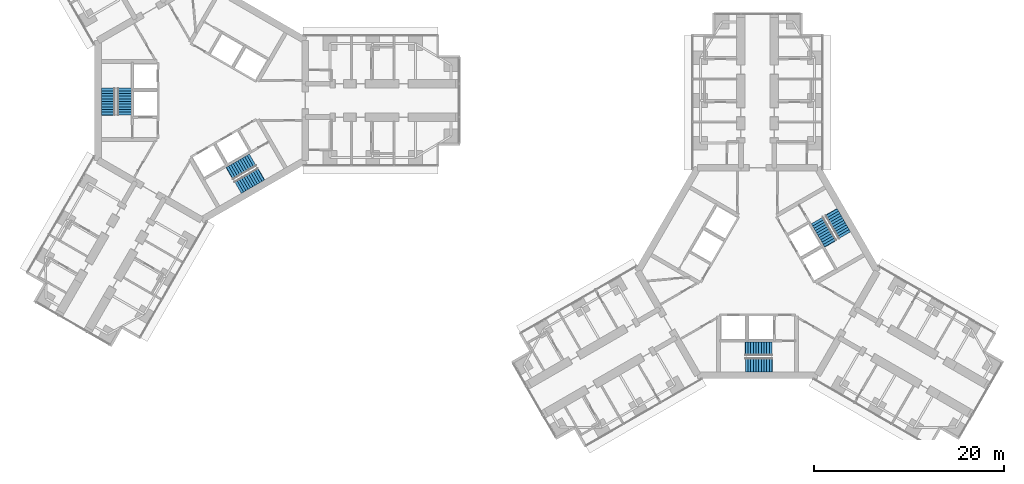
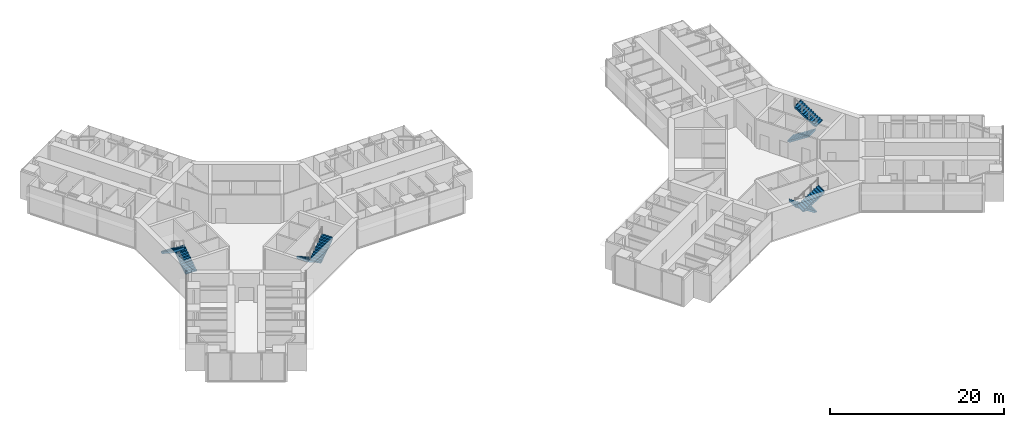
# One storey, part 23 of 24: 8 stair flights, 4 elements without a shape of their own.
"""IFC4 building model written with IfcOpenShell, lengths in metres."""

from ifc_helpers import new_model, si_unit, direction, frame, origin, place, context, subcontext, project, spatial, polyline, outline, extrude, material, type_object, element, aggregate, save


model = new_model("IFC4")

# Units and contexts
model_context = context("Model", 3, precision=1e-05, world=origin(), true_north=direction((0.0, 1.0)))
body_context = subcontext(model_context, "Body", "Model", "MODEL_VIEW")
ifc_project = project(units=[si_unit("LENGTHUNIT", "METRE"), si_unit("AREAUNIT", "SQUARE_METRE"), si_unit("VOLUMEUNIT", "CUBIC_METRE"), si_unit("PLANEANGLEUNIT", "RADIAN"), si_unit("MASSUNIT", "GRAM", prefix="KILO")], contexts=[model_context])

# Site, building, storey
site_placement = place(None, origin())
site = spatial("IfcSite", under=ifc_project, at=site_placement, CompositionType="ELEMENT")
building_placement = place(site_placement, origin())
building = spatial("IfcBuilding", under=site, at=building_placement, Name="Upepo Twin Towers", CompositionType="ELEMENT")
storey_placement = place(building_placement, frame((0.0, 0.0, 68.5)))
storey = spatial("IfcBuildingStorey", under=building, at=storey_placement, Name="L16", CompositionType="ELEMENT", Elevation=68.5)

# Stair, stair flights
ifc_material_1 = material(Name="Concrete C40/50", Category="concrete")
stair_type = type_object("IfcStairType", Name="Core stair, two flights", PredefinedType="HALF_TURN_STAIR", material=ifc_material_1)
stair_1_placement = place(storey_placement, origin())
stair_1 = element("IfcStair", 1, at=stair_1_placement, inside=storey, type_object=stair_type, Name="T1 stair S1 L16", PredefinedType="HALF_TURN_STAIR")
ifc_material_2 = material(Name="Concrete C40/50", Category="concrete")
stair_flight_type = type_object("IfcStairFlightType", Name="Stair flight 1450 RC", PredefinedType="STRAIGHT", material=ifc_material_2)
stair_flight_1_placement = place(storey_placement, frame((-8.125, -1.52001953125, 0.0), z_axis=(0.0, 0.0, 1.0), x_axis=(0.0, 1.0, 0.0)))
stair_flight_1 = element("IfcStairFlight", 2, at=stair_flight_1_placement, type_object=stair_flight_type, Name="Stair S1 flight 1", NumberOfRisers=11, NumberOfTreads=10, PredefinedType="STRAIGHT", RiserHeight=0.181818182, TreadLength=0.28, context=body_context, shape_type="SweptSolid", body=[
    extrude(outline(polyline([(0.0, 0.0), (0.0, 0.181884765625), (0.280029296875, 0.181884765625), (0.280029296875, 0.363525390625), (0.56005859375, 0.363525390625), (0.56005859375, 0.54541015625), (0.840087890625, 0.54541015625), (0.840087890625, 0.727294921875), (1.1201171875, 0.727294921875), (1.1201171875, 0.9091796875), (1.39990234375, 0.9091796875), (1.39990234375, 1.0908203125), (1.679931640625, 1.0908203125), (1.679931640625, 1.272705078125), (1.9599609375, 1.272705078125), (1.9599609375, 1.45458984375), (2.239990234375, 1.45458984375), (2.239990234375, 1.636474609375), (2.52001953125, 1.636474609375), (2.52001953125, 1.818115234375), (2.800048828125, 1.818115234375), (2.800048828125, 2.0), (2.85009765625, 2.0), (2.85009765625, 1.639404296875), (0.3251953125, 0.0), (0.0, 0.0)])), frame((0.0, 0.72509765625, 0.0), z_axis=(0.0, -1.0, 0.0), x_axis=(1.0, 0.0, 0.0)), (0.0, 0.0, 1.0), 1.449951171875),
])
stair_flight_2_placement = place(storey_placement, frame((-9.833251953125, 1.280029296875, 2.0), z_axis=(0.0, 0.0, 1.0), x_axis=(0.0, -1.0, 0.0)))
stair_flight_2 = element("IfcStairFlight", 3, at=stair_flight_2_placement, type_object=stair_flight_type, Name="Stair S1 flight 2", NumberOfRisers=11, NumberOfTreads=10, PredefinedType="STRAIGHT", RiserHeight=0.181818182, TreadLength=0.28, context=body_context, shape_type="SweptSolid", body=[
    extrude(outline(polyline([(0.0, 0.0), (0.0, 0.181884765625), (0.280029296875, 0.181884765625), (0.280029296875, 0.363525390625), (0.56005859375, 0.363525390625), (0.56005859375, 0.54541015625), (0.840087890625, 0.54541015625), (0.840087890625, 0.727294921875), (1.1201171875, 0.727294921875), (1.1201171875, 0.9091796875), (1.39990234375, 0.9091796875), (1.39990234375, 1.0908203125), (1.679931640625, 1.0908203125), (1.679931640625, 1.272705078125), (1.9599609375, 1.272705078125), (1.9599609375, 1.45458984375), (2.239990234375, 1.45458984375), (2.239990234375, 1.636474609375), (2.52001953125, 1.636474609375), (2.52001953125, 1.818115234375), (2.800048828125, 1.818115234375), (2.800048828125, 2.0), (2.85009765625, 2.0), (2.85009765625, 1.639404296875), (0.3251953125, 0.0), (0.0, 0.0)])), frame((0.0, 0.72509765625, 0.0), z_axis=(0.0, -1.0, 0.0), x_axis=(1.0, 0.0, 0.0)), (0.0, 0.0, 1.0), 1.449951171875),
])
aggregate(stair_1, [stair_flight_1, stair_flight_2])

stair_2_placement = place(storey_placement, origin())
stair_2 = element("IfcStair", 4, at=stair_2_placement, inside=storey, type_object=stair_type, Name="T1 stair S2 L16", PredefinedType="HALF_TURN_STAIR")
stair_flight_3_placement = place(storey_placement, frame((5.37890625, -6.2763671875, 0.0), z_axis=(0.0, 0.0, 1.0), x_axis=(-0.866025403784, -0.5, 0.0)))
stair_flight_3 = element("IfcStairFlight", 5, at=stair_flight_3_placement, type_object=stair_flight_type, Name="Stair S2 flight 1", NumberOfRisers=11, NumberOfTreads=10, PredefinedType="STRAIGHT", RiserHeight=0.181818182, TreadLength=0.28, context=body_context, shape_type="SweptSolid", body=[
    extrude(outline(polyline([(0.0, 0.0), (0.0, 0.181884765625), (0.280029296875, 0.181884765625), (0.280029296875, 0.363525390625), (0.56005859375, 0.363525390625), (0.56005859375, 0.54541015625), (0.840087890625, 0.54541015625), (0.840087890625, 0.727294921875), (1.1201171875, 0.727294921875), (1.1201171875, 0.9091796875), (1.39990234375, 0.9091796875), (1.39990234375, 1.0908203125), (1.679931640625, 1.0908203125), (1.679931640625, 1.272705078125), (1.9599609375, 1.272705078125), (1.9599609375, 1.45458984375), (2.239990234375, 1.45458984375), (2.239990234375, 1.636474609375), (2.52001953125, 1.636474609375), (2.52001953125, 1.818115234375), (2.800048828125, 1.818115234375), (2.800048828125, 2.0), (2.85009765625, 2.0), (2.85009765625, 1.639404296875), (0.3251953125, 0.0), (0.0, 0.0)])), frame((0.0, 0.72509765625, 0.0), z_axis=(0.0, -1.0, 0.0), x_axis=(1.0, 0.0, 0.0)), (0.0, 0.0, 1.0), 1.449951171875),
])
stair_flight_4_placement = place(storey_placement, frame((3.80810546875, -9.156005859375, 2.0), z_axis=(0.0, 0.0, 1.0), x_axis=(0.866025403784, 0.5, 0.0)))
stair_flight_4 = element("IfcStairFlight", 6, at=stair_flight_4_placement, type_object=stair_flight_type, Name="Stair S2 flight 2", NumberOfRisers=11, NumberOfTreads=10, PredefinedType="STRAIGHT", RiserHeight=0.181818182, TreadLength=0.28, context=body_context, shape_type="SweptSolid", body=[
    extrude(outline(polyline([(0.0, 0.0), (0.0, 0.181884765625), (0.280029296875, 0.181884765625), (0.280029296875, 0.363525390625), (0.56005859375, 0.363525390625), (0.56005859375, 0.54541015625), (0.840087890625, 0.54541015625), (0.840087890625, 0.727294921875), (1.1201171875, 0.727294921875), (1.1201171875, 0.9091796875), (1.39990234375, 0.9091796875), (1.39990234375, 1.0908203125), (1.679931640625, 1.0908203125), (1.679931640625, 1.272705078125), (1.9599609375, 1.272705078125), (1.9599609375, 1.45458984375), (2.239990234375, 1.45458984375), (2.239990234375, 1.636474609375), (2.52001953125, 1.636474609375), (2.52001953125, 1.818115234375), (2.800048828125, 1.818115234375), (2.800048828125, 2.0), (2.85009765625, 2.0), (2.85009765625, 1.639404296875), (0.3251953125, 0.0), (0.0, 0.0)])), frame((0.0, 0.72509765625, 0.0), z_axis=(0.0, -1.0, 0.0), x_axis=(1.0, 0.0, 0.0)), (0.0, 0.0, 1.0), 1.449951171875),
])
aggregate(stair_2, [stair_flight_3, stair_flight_4])

stair_3_placement = place(storey_placement, origin())
stair_3 = element("IfcStair", 7, at=stair_3_placement, inside=storey, type_object=stair_type, Name="T2 stair S1 L16", PredefinedType="HALF_TURN_STAIR")
stair_flight_5_placement = place(storey_placement, frame((60.02001953125, -26.125, 0.0), z_axis=(0.0, 0.0, 1.0), x_axis=(-1.0, 0.0, 0.0)))
stair_flight_5 = element("IfcStairFlight", 8, at=stair_flight_5_placement, type_object=stair_flight_type, Name="Stair S1 flight 1", NumberOfRisers=11, NumberOfTreads=10, PredefinedType="STRAIGHT", RiserHeight=0.181818182, TreadLength=0.28, context=body_context, shape_type="SweptSolid", body=[
    extrude(outline(polyline([(0.0, 0.0), (0.0, 0.181884765625), (0.280029296875, 0.181884765625), (0.280029296875, 0.363525390625), (0.56005859375, 0.363525390625), (0.56005859375, 0.54541015625), (0.840087890625, 0.54541015625), (0.840087890625, 0.727294921875), (1.1201171875, 0.727294921875), (1.1201171875, 0.9091796875), (1.39990234375, 0.9091796875), (1.39990234375, 1.0908203125), (1.679931640625, 1.0908203125), (1.679931640625, 1.272705078125), (1.9599609375, 1.272705078125), (1.9599609375, 1.45458984375), (2.239990234375, 1.45458984375), (2.239990234375, 1.636474609375), (2.52001953125, 1.636474609375), (2.52001953125, 1.818115234375), (2.800048828125, 1.818115234375), (2.800048828125, 2.0), (2.85009765625, 2.0), (2.85009765625, 1.639404296875), (0.3251953125, 0.0), (0.0, 0.0)])), frame((0.0, 0.72509765625, 0.0), z_axis=(0.0, -1.0, 0.0), x_axis=(1.0, 0.0, 0.0)), (0.0, 0.0, 1.0), 1.449951171875),
])
stair_flight_6_placement = place(storey_placement, frame((57.219970703125, -27.833251953125, 2.0), z_axis=(0.0, 0.0, 1.0), x_axis=(1.0, 0.0, 0.0)))
stair_flight_6 = element("IfcStairFlight", 9, at=stair_flight_6_placement, type_object=stair_flight_type, Name="Stair S1 flight 2", NumberOfRisers=11, NumberOfTreads=10, PredefinedType="STRAIGHT", RiserHeight=0.181818182, TreadLength=0.28, context=body_context, shape_type="SweptSolid", body=[
    extrude(outline(polyline([(0.0, 0.0), (0.0, 0.181884765625), (0.280029296875, 0.181884765625), (0.280029296875, 0.363525390625), (0.56005859375, 0.363525390625), (0.56005859375, 0.54541015625), (0.840087890625, 0.54541015625), (0.840087890625, 0.727294921875), (1.1201171875, 0.727294921875), (1.1201171875, 0.9091796875), (1.39990234375, 0.9091796875), (1.39990234375, 1.0908203125), (1.679931640625, 1.0908203125), (1.679931640625, 1.272705078125), (1.9599609375, 1.272705078125), (1.9599609375, 1.45458984375), (2.239990234375, 1.45458984375), (2.239990234375, 1.636474609375), (2.52001953125, 1.636474609375), (2.52001953125, 1.818115234375), (2.800048828125, 1.818115234375), (2.800048828125, 2.0), (2.85009765625, 2.0), (2.85009765625, 1.639404296875), (0.3251953125, 0.0), (0.0, 0.0)])), frame((0.0, 0.72509765625, 0.0), z_axis=(0.0, -1.0, 0.0), x_axis=(1.0, 0.0, 0.0)), (0.0, 0.0, 1.0), 1.449951171875),
])
aggregate(stair_3, [stair_flight_5, stair_flight_6])

stair_4_placement = place(storey_placement, origin())
stair_4 = element("IfcStair", 10, at=stair_4_placement, inside=storey, type_object=stair_type, Name="T2 stair S2 L16", PredefinedType="HALF_TURN_STAIR")
stair_flight_7_placement = place(storey_placement, frame((64.7763671875, -12.62109375, 0.0), z_axis=(0.0, 0.0, 1.0), x_axis=(0.5, -0.866025403784, 0.0)))
stair_flight_7 = element("IfcStairFlight", 11, at=stair_flight_7_placement, type_object=stair_flight_type, Name="Stair S2 flight 1", NumberOfRisers=11, NumberOfTreads=10, PredefinedType="STRAIGHT", RiserHeight=0.181818182, TreadLength=0.28, context=body_context, shape_type="SweptSolid", body=[
    extrude(outline(polyline([(0.0, 0.0), (0.0, 0.181884765625), (0.280029296875, 0.181884765625), (0.280029296875, 0.363525390625), (0.56005859375, 0.363525390625), (0.56005859375, 0.54541015625), (0.840087890625, 0.54541015625), (0.840087890625, 0.727294921875), (1.1201171875, 0.727294921875), (1.1201171875, 0.9091796875), (1.39990234375, 0.9091796875), (1.39990234375, 1.0908203125), (1.679931640625, 1.0908203125), (1.679931640625, 1.272705078125), (1.9599609375, 1.272705078125), (1.9599609375, 1.45458984375), (2.239990234375, 1.45458984375), (2.239990234375, 1.636474609375), (2.52001953125, 1.636474609375), (2.52001953125, 1.818115234375), (2.800048828125, 1.818115234375), (2.800048828125, 2.0), (2.85009765625, 2.0), (2.85009765625, 1.639404296875), (0.3251953125, 0.0), (0.0, 0.0)])), frame((0.0, 0.72509765625, 0.0), z_axis=(0.0, -1.0, 0.0), x_axis=(1.0, 0.0, 0.0)), (0.0, 0.0, 1.0), 1.449951171875),
])
stair_flight_8_placement = place(storey_placement, frame((67.656005859375, -14.19189453125, 2.0), z_axis=(0.0, 0.0, 1.0), x_axis=(-0.5, 0.866025403784, 0.0)))
stair_flight_8 = element("IfcStairFlight", 12, at=stair_flight_8_placement, type_object=stair_flight_type, Name="Stair S2 flight 2", NumberOfRisers=11, NumberOfTreads=10, PredefinedType="STRAIGHT", RiserHeight=0.181818182, TreadLength=0.28, context=body_context, shape_type="SweptSolid", body=[
    extrude(outline(polyline([(0.0, 0.0), (0.0, 0.181884765625), (0.280029296875, 0.181884765625), (0.280029296875, 0.363525390625), (0.56005859375, 0.363525390625), (0.56005859375, 0.54541015625), (0.840087890625, 0.54541015625), (0.840087890625, 0.727294921875), (1.1201171875, 0.727294921875), (1.1201171875, 0.9091796875), (1.39990234375, 0.9091796875), (1.39990234375, 1.0908203125), (1.679931640625, 1.0908203125), (1.679931640625, 1.272705078125), (1.9599609375, 1.272705078125), (1.9599609375, 1.45458984375), (2.239990234375, 1.45458984375), (2.239990234375, 1.636474609375), (2.52001953125, 1.636474609375), (2.52001953125, 1.818115234375), (2.800048828125, 1.818115234375), (2.800048828125, 2.0), (2.85009765625, 2.0), (2.85009765625, 1.639404296875), (0.3251953125, 0.0), (0.0, 0.0)])), frame((0.0, 0.72509765625, 0.0), z_axis=(0.0, -1.0, 0.0), x_axis=(1.0, 0.0, 0.0)), (0.0, 0.0, 1.0), 1.449951171875),
])
aggregate(stair_4, [stair_flight_7, stair_flight_8])

save(model, "model.ifc")
